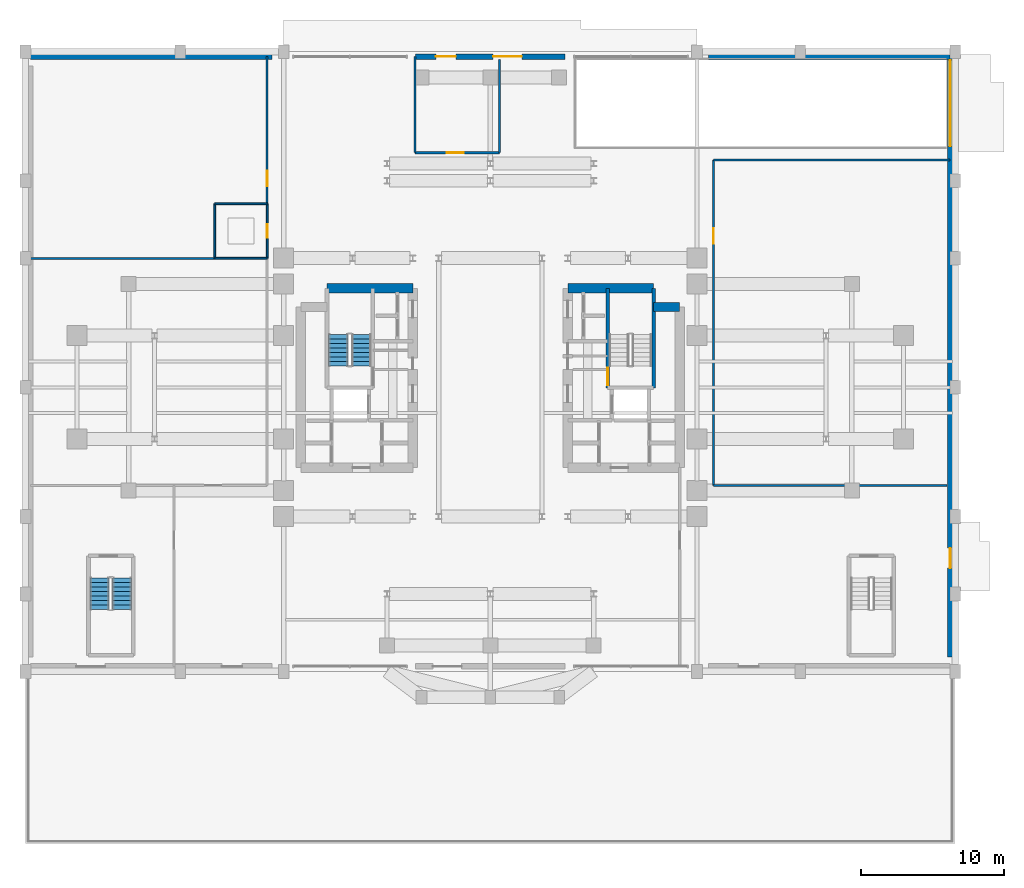
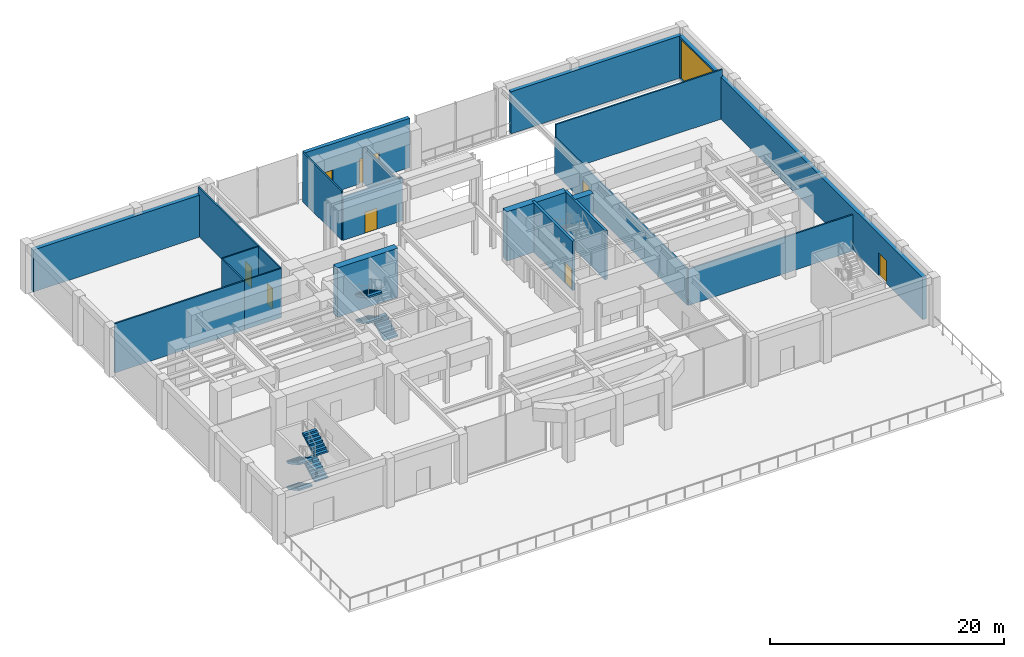
# One storey, part 12 of 17: 21 walls, 9 doors, 7 stair flights, 9 openings, 2 elements without a shape of their own.
"""IFC4 building model written with IfcOpenShell, lengths in metres."""

from ifc_helpers import new_model, si_unit, direction, frame, frame_2d, origin, place, context, subcontext, project, spatial, polyline, rectangle, outline, extrude, source, transform, mapped, material, layer, layer_set, type_object, element, fill, aggregate, save


model = new_model("IFC4")

# Units and contexts
model_context = context("Model", 3, precision=1e-05, world=origin(), true_north=direction((0.0, 1.0)))
body_context = subcontext(model_context, "Body", "Model", "MODEL_VIEW")
ifc_project = project(units=[si_unit("LENGTHUNIT", "METRE"), si_unit("AREAUNIT", "SQUARE_METRE"), si_unit("VOLUMEUNIT", "CUBIC_METRE"), si_unit("PLANEANGLEUNIT", "RADIAN"), si_unit("MASSUNIT", "GRAM", prefix="KILO")], contexts=[model_context])

# Site, building, storey
site_placement = place(None, origin())
site = spatial("IfcSite", under=ifc_project, at=site_placement, CompositionType="ELEMENT")
building_placement = place(site_placement, origin())
building = spatial("IfcBuilding", under=site, at=building_placement, Name="Keilestroom Media Tower", CompositionType="ELEMENT")
storey_placement = place(building_placement, origin())
storey = spatial("IfcBuildingStorey", under=building, at=storey_placement, Name="L00", CompositionType="ELEMENT", Elevation=0.0)

# Walls
ifc_material_1 = material(Name="Precast concrete C40/50", Category="concrete")
ifc_layer_1 = layer(ifc_material_1, 0.3798828125)
ifc_layer_set_1 = layer_set([ifc_layer_1], Name="Precast concrete C40/50")
wall_type_1 = type_object("IfcWallType", Name="Exterior-Masonry-Spandrel-Wall-380", PredefinedType="SOLIDWALL", material=ifc_layer_set_1)
for number, where, z_axis, x_axis, name in (
    (1, (-32.050048828125, 23.050048828125, 0.0), (0.0, 0.0, 1.0), (1.0, 0.0, 0.0), "L00 Podium Precast Masonry Wall EWL-L00-N-W"),
    (2, (15.199951171875, 23.050048828125, 0.0), (0.0, 0.0, 1.0), (1.0, 0.0, 0.0), "L00 Podium Precast Masonry Wall EWL-L00-N-E"),
):
    element("IfcWall", number, at=place(storey_placement, frame(where, z_axis=z_axis, x_axis=x_axis)), inside=storey, type_object=wall_type_1, Name=name, PredefinedType="SOLIDWALL", context=body_context, shape_type="SweptSolid", body=[
        extrude(rectangle(XDim=16.85009765625, YDim=0.3798828125, at=frame_2d((8.425048828125, 0.0))), origin(), (0.0, 0.0, 1.0), 4.39990234375),
    ])

# Wall, openings, doors
wall_1_placement = place(storey_placement, frame((32.050048828125, -18.800048828125, 0.0), z_axis=(0.0, 0.0, 1.0), x_axis=(0.0, 1.0, 0.0)))
wall_1 = element("IfcWall", 3, at=wall_1_placement, inside=storey, type_object=wall_type_1, Name="L00 Podium Precast Masonry Wall EWL-L00-E-M", PredefinedType="SOLIDWALL", context=body_context, shape_type="SweptSolid", body=[
    extrude(rectangle(XDim=42.0, YDim=0.3798828125, at=frame_2d((21.0, 0.0))), origin(), (0.0, 0.0, 1.0), 4.39990234375),
])
opening_1_placement = place(wall_1_placement, frame((35.60009765625, 0.0, 0.0)))
opening_1 = element("IfcOpeningElement", 4, at=opening_1_placement, cuts=wall_1, Name="Opening VG-01", PredefinedType="OPENING", context=body_context, shape_type="SweptSolid", body=[
    extrude(rectangle(XDim=6.0, YDim=4.199951171875, at=frame_2d((3.0, 2.10009765625))), frame((0.0, 0.199951171875, 0.0), z_axis=(0.0, -1.0, 0.0), x_axis=(1.0, 0.0, 0.0)), (0.0, 0.0, 1.0), 0.39990234375),
])
opening_2_placement = place(wall_1_placement, frame((6.199951171875, 0.0, 0.0)))
opening_2 = element("IfcOpeningElement", 5, at=opening_2_placement, cuts=wall_1, Name="Opening DE-03", PredefinedType="OPENING", context=body_context, shape_type="SweptSolid", body=[
    extrude(rectangle(XDim=1.39990234375, YDim=2.39990234375, at=frame_2d((0.699951171875, 1.199951171875))), frame((0.0, 0.199951171875, 0.0), z_axis=(0.0, -1.0, 0.0), x_axis=(1.0, 0.0, 0.0)), (0.0, 0.0, 1.0), 0.39990234375),
])
ifc_material_2 = material(Name="Powder-Coated Steel Exit Leaf", Category="steel")
door_type_1 = type_object("IfcDoorType", Name="Exterior-Entrance-And-Terrace-Door-DE-03", OperationType="DOUBLE_DOOR_SINGLE_SWING", PredefinedType="DOOR", material=ifc_material_2)
shared_shape_1 = source(origin(), body_context, "Body", "SweptSolid", [
    extrude(rectangle(XDim=1.39990234375, YDim=2.39990234375, at=frame_2d((0.699951171875, 1.199951171875))), frame((0.0, 0.02490234375, 0.0), z_axis=(0.0, -1.0, 0.0), x_axis=(1.0, 0.0, 0.0)), (0.0, 0.0, 1.0), 0.050048828125),
])
door_1_placement = place(opening_2_placement, frame((1.39990234375, 0.0, 0.0), z_axis=(0.0, 0.0, 1.0), x_axis=(-1.0, 0.0, 0.0)))
door_1 = element("IfcDoor", 6, at=door_1_placement, inside=storey, type_object=door_type_1, Name="East Core Final Discharge Door DE-03", OperationType="DOUBLE_DOOR_SINGLE_SWING", OverallHeight=2.39990234375, OverallWidth=1.39990234375, PredefinedType="DOOR", context=body_context, shape_type="MappedRepresentation", body=[
    mapped(shared_shape_1, transform((0.0, 0.0, 0.0), x_axis=(1.0, 0.0, 0.0), y_axis=(0.0, 1.0, 0.0), z_axis=(0.0, 0.0, 1.0), scale=1.0)),
])
fill(opening_2, door_1)
ifc_material_3 = material(Name="Perforated Galvanised Steel Slats", Category="steel")
door_type_2 = type_object("IfcDoorType", Name="Vehicle-Roller-Shutter-Gate-VG-01", OperationType="ROLLINGUP", PredefinedType="GATE", material=ifc_material_3)
shared_shape_2 = source(origin(), body_context, "Body", "SweptSolid", [
    extrude(rectangle(XDim=6.0, YDim=4.199951171875, at=frame_2d((3.0, 2.10009765625))), frame((0.0, 0.02490234375, 0.0), z_axis=(0.0, -1.0, 0.0), x_axis=(1.0, 0.0, 0.0)), (0.0, 0.0, 1.0), 0.050048828125),
])
door_2_placement = place(opening_1_placement, frame((6.0, 0.0, 0.0), z_axis=(0.0, 0.0, 1.0), x_axis=(-1.0, 0.0, 0.0)))
door_2 = element("IfcDoor", 7, at=door_2_placement, inside=storey, type_object=door_type_2, Name="Car Park Ramp Roller Shutter Gate VG-01", OperationType="ROLLINGUP", OverallHeight=4.199951171875, OverallWidth=6.0, PredefinedType="GATE", context=body_context, shape_type="MappedRepresentation", body=[
    mapped(shared_shape_2, transform((0.0, 0.0, 0.0), x_axis=(1.0, 0.0, 0.0), y_axis=(0.0, 1.0, 0.0), z_axis=(0.0, 0.0, 1.0), scale=1.0)),
])
fill(opening_1, door_2)

wall_2_placement = place(storey_placement, frame((-5.199951171875, 23.050048828125, 0.0), z_axis=(0.0, 0.0, 1.0), x_axis=(1.0, 0.0, 0.0)))
wall_2 = element("IfcWall", 8, at=wall_2_placement, inside=storey, type_object=wall_type_1, Name="L00 Podium Precast Masonry Wall EWL-L00-N-C", PredefinedType="SOLIDWALL", context=body_context, shape_type="SweptSolid", body=[
    extrude(rectangle(XDim=10.39990234375, YDim=0.3798828125, at=frame_2d((5.199951171875, 0.0))), origin(), (0.0, 0.0, 1.0), 5.14990234375),
])
opening_3_placement = place(wall_2_placement, frame((5.39990234375, 0.0, 0.0)))
opening_3 = element("IfcOpeningElement", 9, at=opening_3_placement, cuts=wall_2, Name="Opening DE-01", PredefinedType="OPENING", context=body_context, shape_type="SweptSolid", body=[
    extrude(rectangle(XDim=2.0, YDim=2.60009765625, at=frame_2d((1.0, 1.300048828125))), frame((0.0, 0.199951171875, 0.0), z_axis=(0.0, -1.0, 0.0), x_axis=(1.0, 0.0, 0.0)), (0.0, 0.0, 1.0), 0.39990234375),
])
opening_4_placement = place(wall_2_placement, frame((1.39990234375, 0.0, 0.0)))
opening_4 = element("IfcOpeningElement", 10, at=opening_4_placement, cuts=wall_2, Name="Opening DE-03", PredefinedType="OPENING", context=body_context, shape_type="SweptSolid", body=[
    extrude(rectangle(XDim=1.39990234375, YDim=2.39990234375, at=frame_2d((0.699951171875, 1.199951171875))), frame((0.0, 0.199951171875, 0.0), z_axis=(0.0, -1.0, 0.0), x_axis=(1.0, 0.0, 0.0)), (0.0, 0.0, 1.0), 0.39990234375),
])
ifc_material_4 = material(Name="Thermally Broken Aluminium & Laminated Glass", Category="aluminium")
door_type_3 = type_object("IfcDoorType", Name="Exterior-Entrance-And-Terrace-Door-DE-01", OperationType="DOUBLE_DOOR_SINGLE_SWING", PredefinedType="DOOR", material=ifc_material_4)
shared_shape_3 = source(origin(), body_context, "Body", "SweptSolid", [
    extrude(rectangle(XDim=2.0, YDim=2.60009765625, at=frame_2d((1.0, 1.300048828125))), frame((0.0, 0.02490234375, 0.0), z_axis=(0.0, -1.0, 0.0), x_axis=(1.0, 0.0, 0.0)), (0.0, 0.0, 1.0), 0.050048828125),
])
door_3_placement = place(opening_3_placement, origin())
door_3 = element("IfcDoor", 11, at=door_3_placement, inside=storey, type_object=door_type_3, Name="North Forecourt Main Entrance DE-01", OperationType="DOUBLE_DOOR_SINGLE_SWING", OverallHeight=2.60009765625, OverallWidth=2.0, PredefinedType="DOOR", context=body_context, shape_type="MappedRepresentation", body=[
    mapped(shared_shape_3, transform((0.0, 0.0, 0.0), x_axis=(1.0, 0.0, 0.0), y_axis=(0.0, 1.0, 0.0), z_axis=(0.0, 0.0, 1.0), scale=1.0)),
])
fill(opening_3, door_3)
door_4_placement = place(opening_4_placement, origin())
door_4 = element("IfcDoor", 12, at=door_4_placement, inside=storey, type_object=door_type_1, Name="Fire Command Direct Exterior Entrance DE-03", OperationType="DOUBLE_DOOR_SINGLE_SWING", OverallHeight=2.39990234375, OverallWidth=1.39990234375, PredefinedType="DOOR", context=body_context, shape_type="MappedRepresentation", body=[
    mapped(shared_shape_1, transform((0.0, 0.0, 0.0), x_axis=(1.0, 0.0, 0.0), y_axis=(0.0, 1.0, 0.0), z_axis=(0.0, 0.0, 1.0), scale=1.0)),
])
fill(opening_4, door_4)

# Walls
ifc_material_5 = material(Name="Gypsum Plasterboard & Steel Stud", Category="steel")
ifc_layer_2 = layer(ifc_material_5, 0.1201171875)
ifc_layer_set_2 = layer_set([ifc_layer_2], Name="Gypsum Plasterboard & Steel Stud")
wall_type_2 = type_object("IfcWallType", Name="Interior-Partition-Wall-120", PredefinedType="PARTITIONING", material=ifc_layer_set_2)
for number, where, z_axis, x_axis, name in (
    (13, (-19.199951171875, 9.0, 0.0), (0.0, 0.0, 1.0), (1.0, 0.0, 0.0), "L00 Interior Wall WP-L00-L00-WC-W-S"),
    (14, (-19.199951171875, 12.800048828125, 0.0), (0.0, 0.0, 1.0), (1.0, 0.0, 0.0), "L00 Interior Wall WP-L00-L00-WC-W-N"),
):
    element("IfcWall", number, at=place(storey_placement, frame(where, z_axis=z_axis, x_axis=x_axis)), inside=storey, type_object=wall_type_2, Name=name, PredefinedType="PARTITIONING", context=body_context, shape_type="SweptSolid", body=[
        extrude(rectangle(XDim=3.64990234375, YDim=0.1201171875, at=frame_2d((1.824951171875, 0.0))), origin(), (0.0, 0.0, 1.0), 5.14990234375),
    ])
wall_3_placement = place(storey_placement, frame((-19.199951171875, 9.0, 0.0), z_axis=(0.0, 0.0, 1.0), x_axis=(0.0, 1.0, 0.0)))
element("IfcWall", 15, at=wall_3_placement, inside=storey, type_object=wall_type_2, Name="L00 Interior Wall WP-L00-L00-WC-W-W", PredefinedType="PARTITIONING", context=body_context, shape_type="SweptSolid", body=[
    extrude(rectangle(XDim=3.800048828125, YDim=0.1201171875, at=frame_2d((1.89990234375, 0.0))), origin(), (0.0, 0.0, 1.0), 5.14990234375),
])

# Wall, opening, door
wall_4_placement = place(storey_placement, frame((-15.550048828125, 9.0, 0.0), z_axis=(0.0, 0.0, 1.0), x_axis=(0.0, 1.0, 0.0)))
wall_4 = element("IfcWall", 16, at=wall_4_placement, inside=storey, type_object=wall_type_2, Name="L00 Interior Wall WP-L00-L00-WC-W-E", PredefinedType="PARTITIONING", context=body_context, shape_type="SweptSolid", body=[
    extrude(rectangle(XDim=3.800048828125, YDim=0.1201171875, at=frame_2d((1.89990234375, 0.0))), origin(), (0.0, 0.0, 1.0), 5.14990234375),
])
opening_5_placement = place(wall_4_placement, frame((1.425048828125, 0.0, 0.0)))
opening_5 = element("IfcOpeningElement", 17, at=opening_5_placement, cuts=wall_4, Name="Opening DI-03", PredefinedType="OPENING", context=body_context, shape_type="SweptSolid", body=[
    extrude(rectangle(XDim=0.949951171875, YDim=2.14990234375, at=frame_2d((0.47509765625, 1.074951171875))), frame((0.0, 0.070068359375, 0.0), z_axis=(0.0, -1.0, 0.0), x_axis=(1.0, 0.0, 0.0)), (0.0, 0.0, 1.0), 0.14013671875),
])
ifc_material_6 = material(Name="Lacquered European Oak Leaf", Category="wood")
door_type_4 = type_object("IfcDoorType", Name="Interior-Room-And-Suite-Door-DI-03", OperationType="NOTDEFINED", PredefinedType="DOOR", material=ifc_material_6)
shared_shape_4 = source(origin(), body_context, "Body", "SweptSolid", [
    extrude(rectangle(XDim=0.949951171875, YDim=2.14990234375, at=frame_2d((0.47509765625, 1.074951171875))), frame((0.0, 0.02490234375, 0.0), z_axis=(0.0, -1.0, 0.0), x_axis=(1.0, 0.0, 0.0)), (0.0, 0.0, 1.0), 0.050048828125),
])
door_5_placement = place(opening_5_placement, origin())
door_5 = element("IfcDoor", 18, at=door_5_placement, inside=storey, type_object=door_type_4, Name="L00 Interior Door DI-L00-DL00-WC-W", OperationType="SINGLE_SWING_LEFT", OverallHeight=2.14990234375, OverallWidth=0.949951171875, PredefinedType="DOOR", context=body_context, shape_type="MappedRepresentation", body=[
    mapped(shared_shape_4, transform((0.0, 0.0, 0.0), x_axis=(1.0, 0.0, 0.0), y_axis=(0.0, 1.0, 0.0), z_axis=(0.0, 0.0, 1.0), scale=1.0)),
])
fill(opening_5, door_5)

# Wall
ifc_layer_3 = layer(ifc_material_5, 0.14990234375)
ifc_layer_set_3 = layer_set([ifc_layer_3], Name="Gypsum Plasterboard & Steel Stud")
wall_type_3 = type_object("IfcWallType", Name="Interior-Partition-Wall-150", PredefinedType="PARTITIONING", material=ifc_layer_set_3)
wall_5_placement = place(storey_placement, frame((-5.239990234375, 16.35009765625, 0.0), z_axis=(0.0, 0.0, 1.0), x_axis=(0.0, 1.0, 0.0)))
element("IfcWall", 19, at=wall_5_placement, inside=storey, type_object=wall_type_3, Name="L00 Interior Wall WP-L00-L00-FCC-W", PredefinedType="PARTITIONING", context=body_context, shape_type="SweptSolid", body=[
    extrude(rectangle(XDim=6.699951171875, YDim=0.14990234375, at=frame_2d((3.35009765625, 0.0))), origin(), (0.0, 0.0, 1.0), 5.14990234375),
])

# Wall, opening, door
wall_6_placement = place(storey_placement, frame((-5.239990234375, 16.35009765625, 0.0), z_axis=(0.0, 0.0, 1.0), x_axis=(1.0, 0.0, 0.0)))
wall_6 = element("IfcWall", 20, at=wall_6_placement, inside=storey, type_object=wall_type_3, Name="L00 Interior Wall WP-L00-L00-FCC-S", PredefinedType="PARTITIONING", context=body_context, shape_type="SweptSolid", body=[
    extrude(rectangle(XDim=5.889892578125, YDim=0.14990234375, at=frame_2d((2.94482421875, 0.0))), origin(), (0.0, 0.0, 1.0), 4.550048828125),
])
opening_6_placement = place(wall_6_placement, frame((2.199951171875, 0.0, 0.0)))
opening_6 = element("IfcOpeningElement", 21, at=opening_6_placement, cuts=wall_6, Name="Opening DI-02", PredefinedType="OPENING", context=body_context, shape_type="SweptSolid", body=[
    extrude(rectangle(XDim=1.199951171875, YDim=2.199951171875, at=frame_2d((0.60009765625, 1.10009765625))), frame((0.0, 0.0849609375, 0.0), z_axis=(0.0, -1.0, 0.0), x_axis=(1.0, 0.0, 0.0)), (0.0, 0.0, 1.0), 0.169921875),
])
ifc_material_7 = material(Name="Powder-Coated Steel Fire Leaf", Category="steel")
door_type_5 = type_object("IfcDoorType", Name="Interior-Compartment-Fire-Door-DI-02", OperationType="NOTDEFINED", PredefinedType="DOOR", material=ifc_material_7)
shared_shape_5 = source(origin(), body_context, "Body", "SweptSolid", [
    extrude(rectangle(XDim=1.199951171875, YDim=2.199951171875, at=frame_2d((0.60009765625, 1.10009765625))), frame((0.0, 0.02490234375, 0.0), z_axis=(0.0, -1.0, 0.0), x_axis=(1.0, 0.0, 0.0)), (0.0, 0.0, 1.0), 0.050048828125),
])
door_6_placement = place(opening_6_placement, origin())
door_6 = element("IfcDoor", 22, at=door_6_placement, inside=storey, type_object=door_type_5, Name="L00 Interior Door DI-L00-L00-FCC-D", OperationType="SINGLE_SWING_RIGHT", OverallHeight=2.199951171875, OverallWidth=1.199951171875, PredefinedType="DOOR", context=body_context, shape_type="MappedRepresentation", body=[
    mapped(shared_shape_5, transform((0.0, 0.0, 0.0), x_axis=(1.0, 0.0, 0.0), y_axis=(0.0, 1.0, 0.0), z_axis=(0.0, 0.0, 1.0), scale=1.0)),
])
fill(opening_6, door_6)

# Walls
wall_7_placement = place(storey_placement, frame((0.64990234375, 16.35009765625, 0.0), z_axis=(0.0, 0.0, 1.0), x_axis=(0.0, 1.0, 0.0)))
element("IfcWall", 23, at=wall_7_placement, inside=storey, type_object=wall_type_3, Name="L00 Interior Wall WP-L00-L00-FCC-E", PredefinedType="PARTITIONING", context=body_context, shape_type="SweptSolid", body=[
    extrude(rectangle(XDim=6.489990234375, YDim=0.14990234375, at=frame_2d((3.2451171875, 0.0))), origin(), (0.0, 0.0, 1.0), 3.800048828125),
])
wall_8_placement = place(storey_placement, frame((-32.050048828125, 8.97998046875, 0.0), z_axis=(0.0, 0.0, 1.0), x_axis=(1.0, 0.0, 0.0)))
element("IfcWall", 24, at=wall_8_placement, inside=storey, type_object=wall_type_3, Name="L00 Interior Wall WP-L00-L00-PRESS-S", PredefinedType="PARTITIONING", context=body_context, shape_type="SweptSolid", body=[
    extrude(rectangle(XDim=12.85009765625, YDim=0.14990234375, at=frame_2d((6.425048828125, 0.0))), origin(), (0.0, 0.0, 1.0), 5.14990234375),
])

# Wall, opening, door
wall_9_placement = place(storey_placement, frame((-15.550048828125, 12.800048828125, 0.0), z_axis=(0.0, 0.0, 1.0), x_axis=(0.0, 1.0, 0.0)))
wall_9 = element("IfcWall", 25, at=wall_9_placement, inside=storey, type_object=wall_type_3, Name="L00 Interior Wall WP-L00-L00-PRESS-E", PredefinedType="PARTITIONING", context=body_context, shape_type="SweptSolid", body=[
    extrude(rectangle(XDim=10.25, YDim=0.14990234375, at=frame_2d((5.125, 0.0))), origin(), (0.0, 0.0, 1.0), 5.14990234375),
])
opening_7_placement = place(wall_9_placement, frame((1.199951171875, 0.0, 0.0)))
opening_7 = element("IfcOpeningElement", 26, at=opening_7_placement, cuts=wall_9, Name="Opening DI-04", PredefinedType="OPENING", context=body_context, shape_type="SweptSolid", body=[
    extrude(rectangle(XDim=1.10009765625, YDim=2.199951171875, at=frame_2d((0.550048828125, 1.10009765625))), frame((0.0, 0.0849609375, 0.0), z_axis=(0.0, -1.0, 0.0), x_axis=(1.0, 0.0, 0.0)), (0.0, 0.0, 1.0), 0.169921875),
])
ifc_material_8 = material(Name="Acoustic Glazed Aluminium Leaf", Category="aluminium")
door_type_6 = type_object("IfcDoorType", Name="Interior-Room-And-Suite-Door-DI-04", OperationType="NOTDEFINED", PredefinedType="DOOR", material=ifc_material_8)
shared_shape_6 = source(origin(), body_context, "Body", "SweptSolid", [
    extrude(rectangle(XDim=1.10009765625, YDim=2.199951171875, at=frame_2d((0.550048828125, 1.10009765625))), frame((0.0, 0.02490234375, 0.0), z_axis=(0.0, -1.0, 0.0), x_axis=(1.0, 0.0, 0.0)), (0.0, 0.0, 1.0), 0.050048828125),
])
door_7_placement = place(opening_7_placement, origin())
door_7 = element("IfcDoor", 27, at=door_7_placement, inside=storey, type_object=door_type_6, Name="L00 Interior Door DI-L00-L00-PRESS-D", OperationType="SINGLE_SWING_RIGHT", OverallHeight=2.199951171875, OverallWidth=1.10009765625, PredefinedType="DOOR", context=body_context, shape_type="MappedRepresentation", body=[
    mapped(shared_shape_6, transform((0.0, 0.0, 0.0), x_axis=(1.0, 0.0, 0.0), y_axis=(0.0, 1.0, 0.0), z_axis=(0.0, 0.0, 1.0), scale=1.0)),
])
fill(opening_7, door_7)

# Wall
wall_10_placement = place(storey_placement, frame((15.550048828125, -6.85009765625, 0.0), z_axis=(0.0, 0.0, 1.0), x_axis=(1.0, 0.0, 0.0)))
element("IfcWall", 28, at=wall_10_placement, inside=storey, type_object=wall_type_3, Name="L00 Interior Wall WP-L00-L00-EXHB-S", PredefinedType="PARTITIONING", context=body_context, shape_type="SweptSolid", body=[
    extrude(rectangle(XDim=16.2900390625, YDim=0.14990234375, at=frame_2d((8.14501953125, 0.0))), origin(), (0.0, 0.0, 1.0), 3.800048828125),
])

# Wall, opening, door
wall_11_placement = place(storey_placement, frame((15.550048828125, -6.85009765625, 0.0), z_axis=(0.0, 0.0, 1.0), x_axis=(0.0, 1.0, 0.0)))
wall_11 = element("IfcWall", 29, at=wall_11_placement, inside=storey, type_object=wall_type_3, Name="L00 Interior Wall WP-L00-L00-EXHB-W", PredefinedType="PARTITIONING", context=body_context, shape_type="SweptSolid", body=[
    extrude(rectangle(XDim=22.7001953125, YDim=0.14990234375, at=frame_2d((11.35009765625, 0.0))), origin(), (0.0, 0.0, 1.0), 3.800048828125),
])
opening_8_placement = place(wall_11_placement, frame((16.85009765625, 0.0, 0.0)))
opening_8 = element("IfcOpeningElement", 30, at=opening_8_placement, cuts=wall_11, Name="Opening DI-04", PredefinedType="OPENING", context=body_context, shape_type="SweptSolid", body=[
    extrude(rectangle(XDim=1.10009765625, YDim=2.199951171875, at=frame_2d((0.550048828125, 1.10009765625))), frame((0.0, 0.0849609375, 0.0), z_axis=(0.0, -1.0, 0.0), x_axis=(1.0, 0.0, 0.0)), (0.0, 0.0, 1.0), 0.169921875),
])
door_8_placement = place(opening_8_placement, origin())
door_8 = element("IfcDoor", 31, at=door_8_placement, inside=storey, type_object=door_type_6, Name="L00 Interior Door DI-L00-L00-EXHB-D", OperationType="SINGLE_SWING_LEFT", OverallHeight=2.199951171875, OverallWidth=1.10009765625, PredefinedType="DOOR", context=body_context, shape_type="MappedRepresentation", body=[
    mapped(shared_shape_6, transform((0.0, 0.0, 0.0), x_axis=(1.0, 0.0, 0.0), y_axis=(0.0, 1.0, 0.0), z_axis=(0.0, 0.0, 1.0), scale=1.0)),
])
fill(opening_8, door_8)

# Walls
wall_12_placement = place(storey_placement, frame((15.550048828125, 15.85009765625, 0.0), z_axis=(0.0, 0.0, 1.0), x_axis=(1.0, 0.0, 0.0)))
element("IfcWall", 32, at=wall_12_placement, inside=storey, type_object=wall_type_3, Name="L00 Interior Wall WP-L00-L00-EXHB-N", PredefinedType="PARTITIONING", context=body_context, shape_type="SweptSolid", body=[
    extrude(rectangle(XDim=16.5, YDim=0.14990234375, at=frame_2d((8.25, 0.0))), origin(), (0.0, 0.0, 1.0), 5.14990234375),
])
ifc_material_9 = material(Name="Concrete C70/85", Category="concrete")
ifc_layer_4 = layer(ifc_material_9, 0.64990234375)
ifc_layer_set_4 = layer_set([ifc_layer_4], Name="Concrete C70/85")
wall_type_4 = type_object("IfcWallType", Name="Reinforced-Concrete-Core-Shear-Wall-650", PredefinedType="SHEAR", material=ifc_layer_set_4)
for number, where, z_axis, x_axis, name in (
    (33, (-11.381103515625, 6.89990234375, 0.0), (0.0, 0.0, 1.0), (1.0, 0.0, 0.0), "L00 Core Shear Wall WL-L00-CORE-W-N"),
    (34, (5.39990234375, 6.89990234375, 0.0), (0.0, 0.0, 1.0), (1.0, 0.0, 0.0), "L00 Core Shear Wall WL-L00-CORE-E-N"),
):
    element("IfcWall", number, at=place(storey_placement, frame(where, z_axis=z_axis, x_axis=x_axis)), inside=storey, type_object=wall_type_4, Name=name, PredefinedType="SHEAR", context=body_context, shape_type="SweptSolid", body=[
        extrude(rectangle(XDim=5.981201171875, YDim=0.64990234375, at=frame_2d((2.99072265625, 0.0))), origin(), (0.0, 0.0, 1.0), 5.14990234375),
    ])
wall_13_placement = place(storey_placement, frame((11.381103515625, 5.60009765625, 0.0), z_axis=(0.0, 0.0, 1.0), x_axis=(1.0, 0.0, 0.0)))
element("IfcWall", 35, at=wall_13_placement, inside=storey, type_object=wall_type_4, Name="L00 Core Shear Wall WL-L00-CNE-N", PredefinedType="SHEAR", context=body_context, shape_type="SweptSolid", body=[
    extrude(rectangle(XDim=1.81884765625, YDim=0.64990234375, at=frame_2d((0.909423828125, 0.0))), origin(), (0.0, 0.0, 1.0), 5.14990234375),
])

# Wall, opening, door
ifc_material_10 = material(Name="Concrete C50/60", Category="concrete")
ifc_layer_5 = layer(ifc_material_10, 0.25)
ifc_layer_set_5 = layer_set([ifc_layer_5], Name="Concrete C50/60")
wall_type_5 = type_object("IfcWallType", Name="Reinforced-Concrete-Shaft-Wall-250", PredefinedType="SOLIDWALL", material=ifc_layer_set_5)
wall_14_placement = place(storey_placement, frame((8.178955078125, -0.041015625, 0.0), z_axis=(0.0, 0.0, 1.0), x_axis=(0.0, 1.0, 0.0)))
wall_14 = element("IfcWall", 36, at=wall_14_placement, inside=storey, type_object=wall_type_5, Name="L00 Core Shear Wall WL-L00-STW-E-NEAR", PredefinedType="SOLIDWALL", context=body_context, shape_type="SweptSolid", body=[
    extrude(rectangle(XDim=6.94091796875, YDim=0.25, at=frame_2d((3.470458984375, 0.0))), origin(), (0.0, 0.0, 1.0), 5.14990234375),
])
opening_9_placement = place(wall_14_placement, frame((0.199951171875, 0.0, 0.0)))
opening_9 = element("IfcOpeningElement", 37, at=opening_9_placement, cuts=wall_14, Name="Opening DI-01S", PredefinedType="OPENING", context=body_context, shape_type="SweptSolid", body=[
    extrude(rectangle(XDim=1.199951171875, YDim=2.199951171875, at=frame_2d((0.60009765625, 1.10009765625))), frame((0.0, 0.135009765625, 0.0), z_axis=(0.0, -1.0, 0.0), x_axis=(1.0, 0.0, 0.0)), (0.0, 0.0, 1.0), 0.27001953125),
])
door_type_7 = type_object("IfcDoorType", Name="Interior-Stair-And-Core-Fire-Door-DI-01", OperationType="NOTDEFINED", PredefinedType="DOOR", material=ifc_material_7)
door_9_placement = place(opening_9_placement, origin())
door_9 = element("IfcDoor", 38, at=door_9_placement, inside=storey, type_object=door_type_7, Name="L00 Escape Stair ST-2 Fire Door", OperationType="SINGLE_SWING_RIGHT", OverallHeight=2.199951171875, OverallWidth=1.199951171875, PredefinedType="DOOR", context=body_context, shape_type="MappedRepresentation", body=[
    mapped(shared_shape_5, transform((0.0, 0.0, 0.0), x_axis=(1.0, 0.0, 0.0), y_axis=(0.0, 1.0, 0.0), z_axis=(0.0, 0.0, 1.0), scale=1.0)),
])
fill(opening_9, door_9)

# Wall
wall_15_placement = place(storey_placement, frame((11.381103515625, -0.041015625, 0.0), z_axis=(0.0, 0.0, 1.0), x_axis=(0.0, 1.0, 0.0)))
element("IfcWall", 39, at=wall_15_placement, inside=storey, type_object=wall_type_5, Name="L00 Core Shear Wall WL-L00-STW-E-FAR", PredefinedType="SOLIDWALL", context=body_context, shape_type="SweptSolid", body=[
    extrude(rectangle(XDim=6.94091796875, YDim=0.25, at=frame_2d((3.470458984375, 0.0))), origin(), (0.0, 0.0, 1.0), 5.14990234375),
])

# Stair, stair flights
ifc_material_11 = material(Name="Concrete C45/55", Category="concrete")
stair_type_1 = type_object("IfcStairType", Name="Enclosed-Dog-Leg-Stair-ST-CORE", PredefinedType="HALF_TURN_STAIR", material=ifc_material_11)
stair_1_placement = place(storey_placement, origin())
stair_1 = element("IfcStair", 40, at=stair_1_placement, inside=storey, type_object=stair_type_1, Name="L00 West Core Escape Stair ST-1", PredefinedType="HALF_TURN_STAIR")
stair_flight_type_1 = type_object("IfcStairFlightType", Name="Precast-Concrete-Stair-Flight-Core-160", PredefinedType="STRAIGHT", material=ifc_material_1)
stair_flight_1_placement = place(storey_placement, frame((-8.97998046875, 1.5, 0.0), z_axis=(0.0, 0.0, 1.0), x_axis=(0.0, 1.0, 0.0)))
stair_flight_1 = element("IfcStairFlight", 41, at=stair_flight_1_placement, type_object=stair_flight_type_1, Name="ST-1 flight 1", NumberOfRisers=8, NumberOfTreads=7, PredefinedType="STRAIGHT", RiserHeight=0.16875, TreadLength=0.312, context=body_context, shape_type="SweptSolid", body=[
    extrude(outline(polyline([(0.0, 0.0), (0.0, 0.168701171875), (0.31201171875, 0.168701171875), (0.31201171875, 0.33740234375), (0.6240234375, 0.33740234375), (0.6240234375, 0.50634765625), (0.93603515625, 0.50634765625), (0.93603515625, 0.675048828125), (1.248046875, 0.675048828125), (1.248046875, 0.84375), (1.56005859375, 0.84375), (1.56005859375, 1.012451171875), (1.8720703125, 1.012451171875), (1.8720703125, 1.18115234375), (2.18408203125, 1.18115234375), (2.18408203125, 1.35009765625), (2.18408203125, 0.99951171875), (0.336181640625, 0.0), (0.0, 0.0)])), frame((0.0, 0.68017578125, 0.0), z_axis=(0.0, -1.0, 0.0), x_axis=(1.0, 0.0, 0.0)), (0.0, 0.0, 1.0), 1.360107421875),
])
stair_flight_2_placement = place(storey_placement, frame((-10.580078125, 3.68408203125, 1.35009765625), z_axis=(0.0, 0.0, 1.0), x_axis=(0.0, -1.0, 0.0)))
stair_flight_2 = element("IfcStairFlight", 42, at=stair_flight_2_placement, type_object=stair_flight_type_1, Name="ST-1 flight 2", NumberOfRisers=8, NumberOfTreads=7, PredefinedType="STRAIGHT", RiserHeight=0.16875, TreadLength=0.312, context=body_context, shape_type="SweptSolid", body=[
    extrude(outline(polyline([(0.0, 0.0), (0.0, 0.168701171875), (0.31201171875, 0.168701171875), (0.31201171875, 0.33740234375), (0.6240234375, 0.33740234375), (0.6240234375, 0.50634765625), (0.93603515625, 0.50634765625), (0.93603515625, 0.675048828125), (1.248046875, 0.675048828125), (1.248046875, 0.84375), (1.56005859375, 0.84375), (1.56005859375, 1.012451171875), (1.8720703125, 1.012451171875), (1.8720703125, 1.18115234375), (2.18408203125, 1.18115234375), (2.18408203125, 1.35009765625), (2.18408203125, 0.99951171875), (0.336181640625, 0.0), (0.0, 0.0)])), frame((0.0, 0.68017578125, 0.0), z_axis=(0.0, -1.0, 0.0), x_axis=(1.0, 0.0, 0.0)), (0.0, 0.0, 1.0), 1.360107421875),
])
stair_flight_3_placement = place(storey_placement, frame((-10.580078125, 3.68408203125, 4.050048828125), z_axis=(0.0, 0.0, 1.0), x_axis=(0.0, -1.0, 0.0)))
stair_flight_3 = element("IfcStairFlight", 43, at=stair_flight_3_placement, type_object=stair_flight_type_1, Name="ST-1 flight 4", NumberOfRisers=8, NumberOfTreads=7, PredefinedType="STRAIGHT", RiserHeight=0.16875, TreadLength=0.312, context=body_context, shape_type="SweptSolid", body=[
    extrude(outline(polyline([(0.0, 0.0), (0.0, 0.168701171875), (0.31201171875, 0.168701171875), (0.31201171875, 0.33740234375), (0.6240234375, 0.33740234375), (0.6240234375, 0.50634765625), (0.93603515625, 0.50634765625), (0.93603515625, 0.675048828125), (1.248046875, 0.675048828125), (1.248046875, 0.84375), (1.56005859375, 0.84375), (1.56005859375, 1.012451171875), (1.8720703125, 1.012451171875), (1.8720703125, 1.18115234375), (2.18408203125, 1.18115234375), (2.18408203125, 1.35009765625), (2.18408203125, 0.99951171875), (0.336181640625, 0.0), (0.0, 0.0)])), frame((0.0, 0.68017578125, 0.0), z_axis=(0.0, -1.0, 0.0), x_axis=(1.0, 0.0, 0.0)), (0.0, 0.0, 1.0), 1.360107421875),
])
aggregate(stair_1, [stair_flight_1, stair_flight_2, stair_flight_3])

stair_type_2 = type_object("IfcStairType", Name="Enclosed-Dog-Leg-Stair-ST-POD", PredefinedType="HALF_TURN_STAIR", material=ifc_material_11)
stair_2_placement = place(storey_placement, origin())
stair_2 = element("IfcStair", 44, at=stair_2_placement, inside=storey, type_object=stair_type_2, Name="L00 Podium West Studio Escape Stair ST-3", PredefinedType="HALF_TURN_STAIR")
stair_flight_type_2 = type_object("IfcStairFlightType", Name="Precast-Concrete-Stair-Flight-Podium-160", PredefinedType="STRAIGHT", material=ifc_material_1)
stair_flight_4_placement = place(storey_placement, frame((-27.219970703125, -13.2900390625, 0.0), z_axis=(0.0, 0.0, 1.0), x_axis=(0.0, -1.0, 0.0)))
stair_flight_4 = element("IfcStairFlight", 45, at=stair_flight_4_placement, type_object=stair_flight_type_2, Name="ST-3 flight 1", NumberOfRisers=8, NumberOfTreads=7, PredefinedType="STRAIGHT", RiserHeight=0.16875, TreadLength=0.312, context=body_context, shape_type="SweptSolid", body=[
    extrude(outline(polyline([(0.0, 0.0), (0.0, 0.168701171875), (0.31201171875, 0.168701171875), (0.31201171875, 0.33740234375), (0.6240234375, 0.33740234375), (0.6240234375, 0.50634765625), (0.93603515625, 0.50634765625), (0.93603515625, 0.675048828125), (1.248046875, 0.675048828125), (1.248046875, 0.84375), (1.56005859375, 0.84375), (1.56005859375, 1.012451171875), (1.8720703125, 1.012451171875), (1.8720703125, 1.18115234375), (2.18408203125, 1.18115234375), (2.18408203125, 1.35009765625), (2.18408203125, 0.99951171875), (0.336181640625, 0.0), (0.0, 0.0)])), frame((0.0, 0.66015625, 0.0), z_axis=(0.0, -1.0, 0.0), x_axis=(1.0, 0.0, 0.0)), (0.0, 0.0, 1.0), 1.320068359375),
])
stair_flight_5_placement = place(storey_placement, frame((-25.659912109375, -15.47412109375, 1.35009765625), z_axis=(0.0, 0.0, 1.0), x_axis=(0.0, 1.0, 0.0)))
stair_flight_5 = element("IfcStairFlight", 46, at=stair_flight_5_placement, type_object=stair_flight_type_2, Name="ST-3 flight 2", NumberOfRisers=8, NumberOfTreads=7, PredefinedType="STRAIGHT", RiserHeight=0.16875, TreadLength=0.312, context=body_context, shape_type="SweptSolid", body=[
    extrude(outline(polyline([(0.0, 0.0), (0.0, 0.168701171875), (0.31201171875, 0.168701171875), (0.31201171875, 0.33740234375), (0.6240234375, 0.33740234375), (0.6240234375, 0.50634765625), (0.93603515625, 0.50634765625), (0.93603515625, 0.675048828125), (1.248046875, 0.675048828125), (1.248046875, 0.84375), (1.56005859375, 0.84375), (1.56005859375, 1.012451171875), (1.8720703125, 1.012451171875), (1.8720703125, 1.18115234375), (2.18408203125, 1.18115234375), (2.18408203125, 1.35009765625), (2.18408203125, 0.99951171875), (0.336181640625, 0.0), (0.0, 0.0)])), frame((0.0, 0.66015625, 0.0), z_axis=(0.0, -1.0, 0.0), x_axis=(1.0, 0.0, 0.0)), (0.0, 0.0, 1.0), 1.320068359375),
])
stair_flight_6_placement = place(storey_placement, frame((-27.219970703125, -13.2900390625, 2.699951171875), z_axis=(0.0, 0.0, 1.0), x_axis=(0.0, -1.0, 0.0)))
stair_flight_6 = element("IfcStairFlight", 47, at=stair_flight_6_placement, type_object=stair_flight_type_2, Name="ST-3 flight 3", NumberOfRisers=8, NumberOfTreads=7, PredefinedType="STRAIGHT", RiserHeight=0.16875, TreadLength=0.312, context=body_context, shape_type="SweptSolid", body=[
    extrude(outline(polyline([(0.0, 0.0), (0.0, 0.168701171875), (0.31201171875, 0.168701171875), (0.31201171875, 0.33740234375), (0.6240234375, 0.33740234375), (0.6240234375, 0.50634765625), (0.93603515625, 0.50634765625), (0.93603515625, 0.675048828125), (1.248046875, 0.675048828125), (1.248046875, 0.84375), (1.56005859375, 0.84375), (1.56005859375, 1.012451171875), (1.8720703125, 1.012451171875), (1.8720703125, 1.18115234375), (2.18408203125, 1.18115234375), (2.18408203125, 1.35009765625), (2.18408203125, 0.99951171875), (0.336181640625, 0.0), (0.0, 0.0)])), frame((0.0, 0.66015625, 0.0), z_axis=(0.0, -1.0, 0.0), x_axis=(1.0, 0.0, 0.0)), (0.0, 0.0, 1.0), 1.320068359375),
])
stair_flight_7_placement = place(storey_placement, frame((-25.659912109375, -15.47412109375, 4.050048828125), z_axis=(0.0, 0.0, 1.0), x_axis=(0.0, 1.0, 0.0)))
stair_flight_7 = element("IfcStairFlight", 48, at=stair_flight_7_placement, type_object=stair_flight_type_2, Name="ST-3 flight 4", NumberOfRisers=8, NumberOfTreads=7, PredefinedType="STRAIGHT", RiserHeight=0.16875, TreadLength=0.312, context=body_context, shape_type="SweptSolid", body=[
    extrude(outline(polyline([(0.0, 0.0), (0.0, 0.168701171875), (0.31201171875, 0.168701171875), (0.31201171875, 0.33740234375), (0.6240234375, 0.33740234375), (0.6240234375, 0.50634765625), (0.93603515625, 0.50634765625), (0.93603515625, 0.675048828125), (1.248046875, 0.675048828125), (1.248046875, 0.84375), (1.56005859375, 0.84375), (1.56005859375, 1.012451171875), (1.8720703125, 1.012451171875), (1.8720703125, 1.18115234375), (2.18408203125, 1.18115234375), (2.18408203125, 1.35009765625), (2.18408203125, 0.99951171875), (0.336181640625, 0.0), (0.0, 0.0)])), frame((0.0, 0.66015625, 0.0), z_axis=(0.0, -1.0, 0.0), x_axis=(1.0, 0.0, 0.0)), (0.0, 0.0, 1.0), 1.320068359375),
])
aggregate(stair_2, [stair_flight_4, stair_flight_5, stair_flight_6, stair_flight_7])

save(model, "model.ifc")
